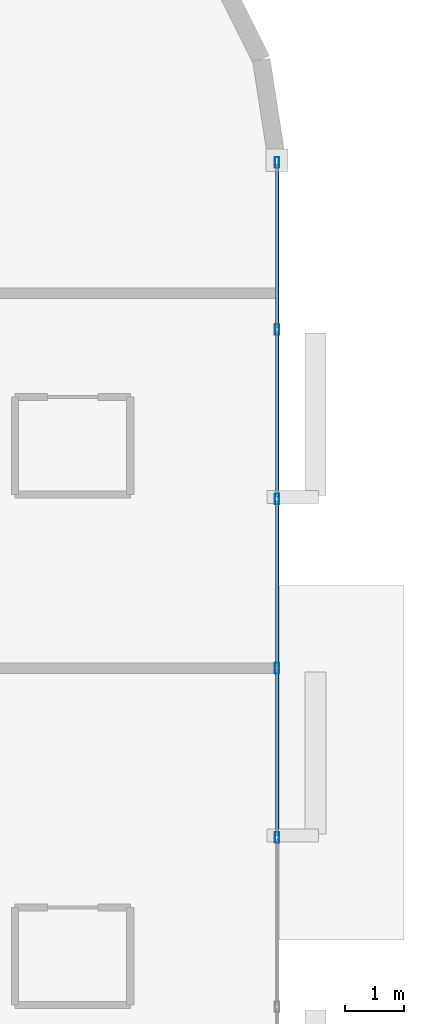
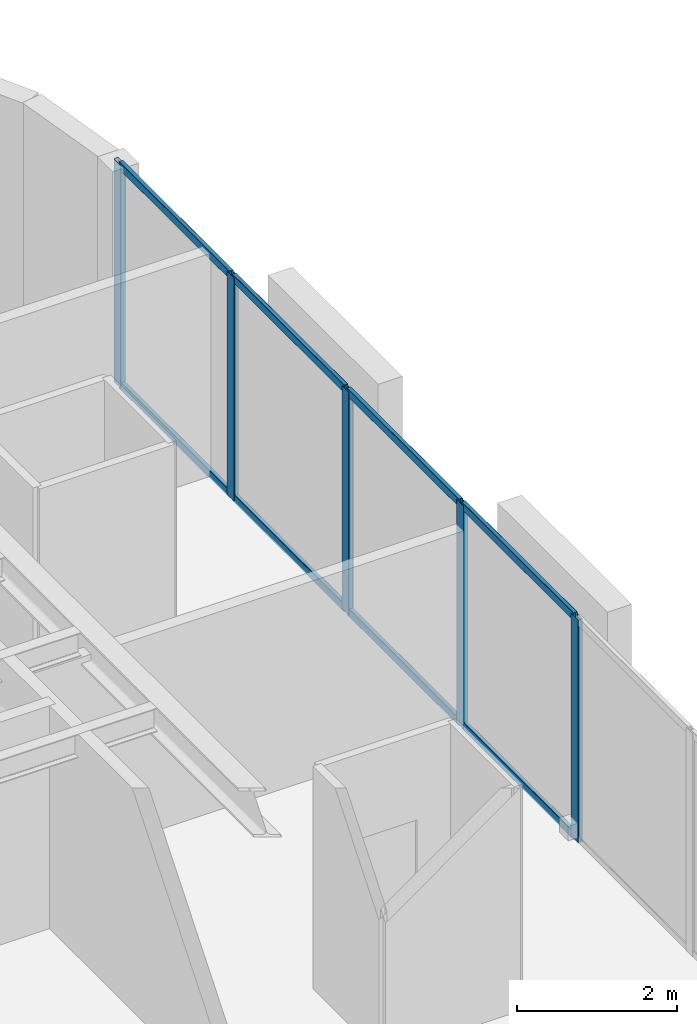
# One storey, part 6 of 16: 13 members, 1 element without a shape of its own.
"""IFC4 building model written with IfcOpenShell, lengths in metres."""

from ifc_helpers import new_model, si_unit, direction, frame, origin, origin_2d, place, context, subcontext, project, spatial, hollow_rectangle, extrude, material, layer, layer_set, material_profile, profile_set, type_object, element, aggregate, save


model = new_model("IFC4")

# Units and contexts
model_context = context("Model", 3, precision=1e-05, world=origin(), true_north=direction((0.0, 1.0)))
body_context = subcontext(model_context, "Body", "Model", "MODEL_VIEW")
ifc_project = project(units=[si_unit("LENGTHUNIT", "METRE"), si_unit("AREAUNIT", "SQUARE_METRE"), si_unit("VOLUMEUNIT", "CUBIC_METRE"), si_unit("PLANEANGLEUNIT", "RADIAN"), si_unit("MASSUNIT", "GRAM", prefix="KILO")], contexts=[model_context])

# Site, building, storey
site_placement = place(None, origin())
site = spatial("IfcSite", under=ifc_project, at=site_placement, CompositionType="ELEMENT")
building_placement = place(site_placement, origin())
building = spatial("IfcBuilding", under=site, at=building_placement, Name="An Khanh Terracotta Commons", CompositionType="ELEMENT")
storey_placement = place(building_placement, frame((0.0, 0.0, 107.89990234375)))
storey = spatial("IfcBuildingStorey", under=building, at=storey_placement, Name="L28", CompositionType="ELEMENT", Elevation=107.89990234375)

# Curtain wall, members
ifc_material = material(Name="Anodised Aluminium 6063-T6", Category="aluminium")
ifc_layer = layer(ifc_material, 0.199951171875, Name="Anodised Aluminium 6063-T6")
ifc_layer_set = layer_set([ifc_layer], Name="Anodised Aluminium 6063-T6")
curtain_wall_type = type_object("IfcCurtainWallType", Name="CW-SYS-02", PredefinedType="USERDEFINED", material=ifc_layer_set)
curtain_wall_placement = place(storey_placement, origin())
curtain_wall = element("IfcCurtainWall", 1, at=curtain_wall_placement, inside=storey, type_object=curtain_wall_type, Name="L28 CW-02 Unitised Curtain Wall CW-L28-12", ObjectType="UNITISED CURTAIN WALL", PredefinedType="USERDEFINED")
ifc_material_profile_1 = material_profile(ifc_material, hollow_rectangle(XDim=0.070068359375, YDim=0.179931640625, WallThickness=0.00390625, InnerFilletRadius=0.00390625, OuterFilletRadius=0.008056640625, at=origin_2d()), Name="RHS180x70x4")
ifc_profile_set_1 = profile_set([ifc_material_profile_1], Name="Anodised Aluminium 6063-T6")
member_type_1 = type_object("IfcMemberType", Name="CWM-RHS180x70x4", PredefinedType="MULLION", material=ifc_profile_set_1)
member_1_placement = place(storey_placement, frame((57.39990234375, 21.13330078125, 0.0), z_axis=(0.0, 0.0, 1.0), x_axis=(-1.0, 0.0, 0.0)))
member_1 = element("IfcMember", 2, at=member_1_placement, type_object=member_type_1, Name="CW-02 mullion 3", PredefinedType="MULLION", context=body_context, shape_type="SweptSolid", body=[
    extrude(hollow_rectangle(XDim=0.070068359375, YDim=0.179931640625, WallThickness=0.00390625, InnerFilletRadius=0.00390625, OuterFilletRadius=0.008056640625, at=origin_2d()), origin(), (0.0, 0.0, 1.0), 3.400146484375),
])
member_2_placement = place(storey_placement, frame((57.39990234375, 24.0, 0.0), z_axis=(0.0, 0.0, 1.0), x_axis=(-1.0, 0.0, 0.0)))
member_2 = element("IfcMember", 3, at=member_2_placement, type_object=member_type_1, Name="CW-02 mullion 4", PredefinedType="MULLION", context=body_context, shape_type="SweptSolid", body=[
    extrude(hollow_rectangle(XDim=0.070068359375, YDim=0.179931640625, WallThickness=0.00390625, InnerFilletRadius=0.00390625, OuterFilletRadius=0.008056640625, at=origin_2d()), origin(), (0.0, 0.0, 1.0), 3.400146484375),
])
member_3_placement = place(storey_placement, frame((57.39990234375, 26.86669921875, 0.0), z_axis=(0.0, 0.0, 1.0), x_axis=(-1.0, 0.0, 0.0)))
member_3 = element("IfcMember", 4, at=member_3_placement, type_object=member_type_1, Name="CW-02 mullion 5", PredefinedType="MULLION", context=body_context, shape_type="SweptSolid", body=[
    extrude(hollow_rectangle(XDim=0.070068359375, YDim=0.179931640625, WallThickness=0.00390625, InnerFilletRadius=0.00390625, OuterFilletRadius=0.008056640625, at=origin_2d()), origin(), (0.0, 0.0, 1.0), 3.400146484375),
])
member_4_placement = place(storey_placement, frame((57.39990234375, 29.7333984375, 0.0), z_axis=(0.0, 0.0, 1.0), x_axis=(-1.0, 0.0, 0.0)))
member_4 = element("IfcMember", 5, at=member_4_placement, type_object=member_type_1, Name="CW-02 mullion 6", PredefinedType="MULLION", context=body_context, shape_type="SweptSolid", body=[
    extrude(hollow_rectangle(XDim=0.070068359375, YDim=0.179931640625, WallThickness=0.00390625, InnerFilletRadius=0.00390625, OuterFilletRadius=0.008056640625, at=origin_2d()), origin(), (0.0, 0.0, 1.0), 3.400146484375),
])
member_5_placement = place(storey_placement, frame((57.39990234375, 32.56494140625, 0.0), z_axis=(0.0, 0.0, 1.0), x_axis=(-1.0, 0.0, 0.0)))
member_5 = element("IfcMember", 6, at=member_5_placement, type_object=member_type_1, Name="CW-02 mullion 7", PredefinedType="MULLION", context=body_context, shape_type="SweptSolid", body=[
    extrude(hollow_rectangle(XDim=0.070068359375, YDim=0.179931640625, WallThickness=0.00390625, InnerFilletRadius=0.00390625, OuterFilletRadius=0.008056640625, at=origin_2d()), origin(), (0.0, 0.0, 1.0), 3.400146484375),
])
ifc_material_profile_2 = material_profile(ifc_material, hollow_rectangle(XDim=0.06005859375, YDim=0.1201171875, WallThickness=0.003662109375, InnerFilletRadius=0.003662109375, OuterFilletRadius=0.007080078125, at=origin_2d()), Name="RHS120x60x3.6")
ifc_profile_set_2 = profile_set([ifc_material_profile_2], Name="Anodised Aluminium 6063-T6")
member_type_2 = type_object("IfcMemberType", Name="CWT-RHS120x60x3.6", PredefinedType="USERDEFINED", material=ifc_profile_set_2)
member_6_placement = place(storey_placement, frame((57.39990234375, 21.168212890625, 0.030029296875), z_axis=(0.0, 1.0, 0.0), x_axis=(-1.0, 0.0, 0.0)))
member_6 = element("IfcMember", 7, at=member_6_placement, type_object=member_type_2, Name="CW-02 transom 3.1", ObjectType="TRANSOM", PredefinedType="USERDEFINED", context=body_context, shape_type="SweptSolid", body=[
    extrude(hollow_rectangle(XDim=0.06005859375, YDim=0.1201171875, WallThickness=0.003662109375, InnerFilletRadius=0.003662109375, OuterFilletRadius=0.007080078125, at=origin_2d()), origin(), (0.0, 0.0, 1.0), 2.796875),
])
member_7_placement = place(storey_placement, frame((57.39990234375, 21.168212890625, 3.3701171875), z_axis=(0.0, 1.0, 0.0), x_axis=(-1.0, 0.0, 0.0)))
member_7 = element("IfcMember", 8, at=member_7_placement, type_object=member_type_2, Name="CW-02 transom 3.2", ObjectType="TRANSOM", PredefinedType="USERDEFINED", context=body_context, shape_type="SweptSolid", body=[
    extrude(hollow_rectangle(XDim=0.06005859375, YDim=0.1201171875, WallThickness=0.003662109375, InnerFilletRadius=0.003662109375, OuterFilletRadius=0.007080078125, at=origin_2d()), origin(), (0.0, 0.0, 1.0), 2.796875),
])
member_8_placement = place(storey_placement, frame((57.39990234375, 24.034912109375, 0.030029296875), z_axis=(0.0, 1.0, 0.0), x_axis=(-1.0, 0.0, 0.0)))
member_8 = element("IfcMember", 9, at=member_8_placement, type_object=member_type_2, Name="CW-02 transom 4.1", ObjectType="TRANSOM", PredefinedType="USERDEFINED", context=body_context, shape_type="SweptSolid", body=[
    extrude(hollow_rectangle(XDim=0.06005859375, YDim=0.1201171875, WallThickness=0.003662109375, InnerFilletRadius=0.003662109375, OuterFilletRadius=0.007080078125, at=origin_2d()), origin(), (0.0, 0.0, 1.0), 2.796875),
])
member_9_placement = place(storey_placement, frame((57.39990234375, 24.034912109375, 3.3701171875), z_axis=(0.0, 1.0, 0.0), x_axis=(-1.0, 0.0, 0.0)))
member_9 = element("IfcMember", 10, at=member_9_placement, type_object=member_type_2, Name="CW-02 transom 4.2", ObjectType="TRANSOM", PredefinedType="USERDEFINED", context=body_context, shape_type="SweptSolid", body=[
    extrude(hollow_rectangle(XDim=0.06005859375, YDim=0.1201171875, WallThickness=0.003662109375, InnerFilletRadius=0.003662109375, OuterFilletRadius=0.007080078125, at=origin_2d()), origin(), (0.0, 0.0, 1.0), 2.796875),
])
member_10_placement = place(storey_placement, frame((57.39990234375, 26.901611328125, 0.030029296875), z_axis=(0.0, 1.0, 0.0), x_axis=(-1.0, 0.0, 0.0)))
member_10 = element("IfcMember", 11, at=member_10_placement, type_object=member_type_2, Name="CW-02 transom 5.1", ObjectType="TRANSOM", PredefinedType="USERDEFINED", context=body_context, shape_type="SweptSolid", body=[
    extrude(hollow_rectangle(XDim=0.06005859375, YDim=0.1201171875, WallThickness=0.003662109375, InnerFilletRadius=0.003662109375, OuterFilletRadius=0.007080078125, at=origin_2d()), origin(), (0.0, 0.0, 1.0), 2.796630859375),
])
member_11_placement = place(storey_placement, frame((57.39990234375, 26.901611328125, 3.3701171875), z_axis=(0.0, 1.0, 0.0), x_axis=(-1.0, 0.0, 0.0)))
member_11 = element("IfcMember", 12, at=member_11_placement, type_object=member_type_2, Name="CW-02 transom 5.2", ObjectType="TRANSOM", PredefinedType="USERDEFINED", context=body_context, shape_type="SweptSolid", body=[
    extrude(hollow_rectangle(XDim=0.06005859375, YDim=0.1201171875, WallThickness=0.003662109375, InnerFilletRadius=0.003662109375, OuterFilletRadius=0.007080078125, at=origin_2d()), origin(), (0.0, 0.0, 1.0), 2.796630859375),
])
member_12_placement = place(storey_placement, frame((57.39990234375, 29.768310546875, 0.030029296875), z_axis=(0.0, 1.0, 0.0), x_axis=(-1.0, 0.0, 0.0)))
member_12 = element("IfcMember", 13, at=member_12_placement, type_object=member_type_2, Name="CW-02 transom 6.1", ObjectType="TRANSOM", PredefinedType="USERDEFINED", context=body_context, shape_type="SweptSolid", body=[
    extrude(hollow_rectangle(XDim=0.06005859375, YDim=0.1201171875, WallThickness=0.003662109375, InnerFilletRadius=0.003662109375, OuterFilletRadius=0.007080078125, at=origin_2d()), origin(), (0.0, 0.0, 1.0), 2.76171875),
])
member_13_placement = place(storey_placement, frame((57.39990234375, 29.768310546875, 3.3701171875), z_axis=(0.0, 1.0, 0.0), x_axis=(-1.0, 0.0, 0.0)))
member_13 = element("IfcMember", 14, at=member_13_placement, type_object=member_type_2, Name="CW-02 transom 6.2", ObjectType="TRANSOM", PredefinedType="USERDEFINED", context=body_context, shape_type="SweptSolid", body=[
    extrude(hollow_rectangle(XDim=0.06005859375, YDim=0.1201171875, WallThickness=0.003662109375, InnerFilletRadius=0.003662109375, OuterFilletRadius=0.007080078125, at=origin_2d()), origin(), (0.0, 0.0, 1.0), 2.76171875),
])
aggregate(curtain_wall, [member_1, member_2, member_3, member_4, member_5, member_6, member_7, member_8, member_9, member_10, member_11, member_12, member_13])

save(model, "model.ifc")
